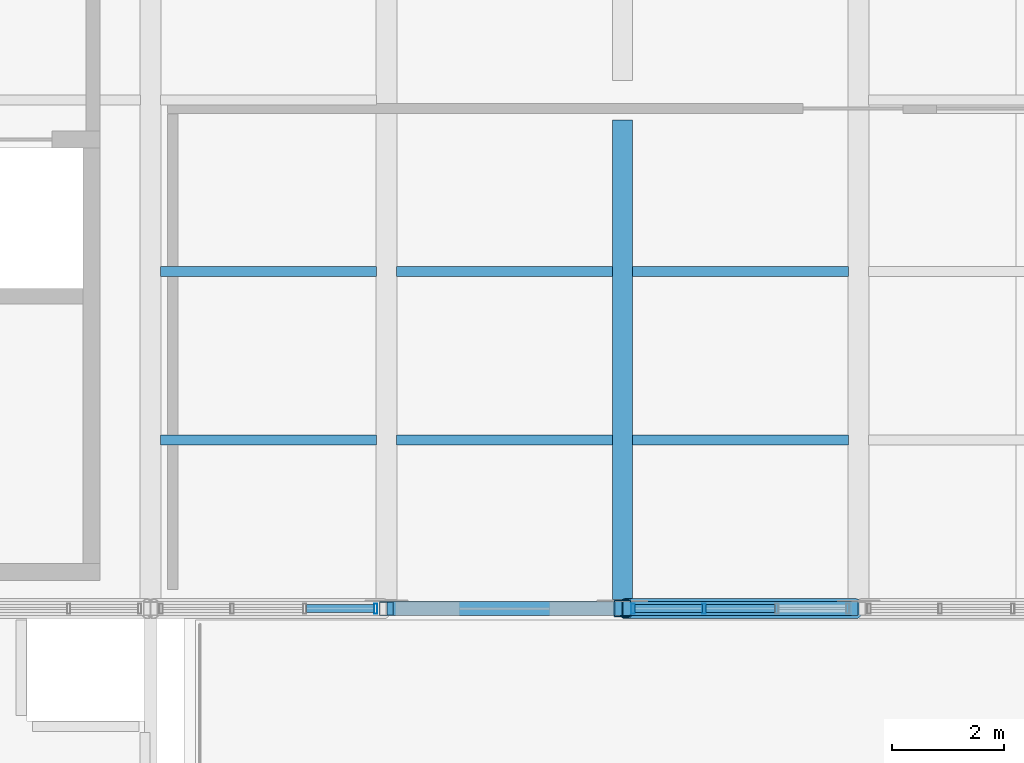
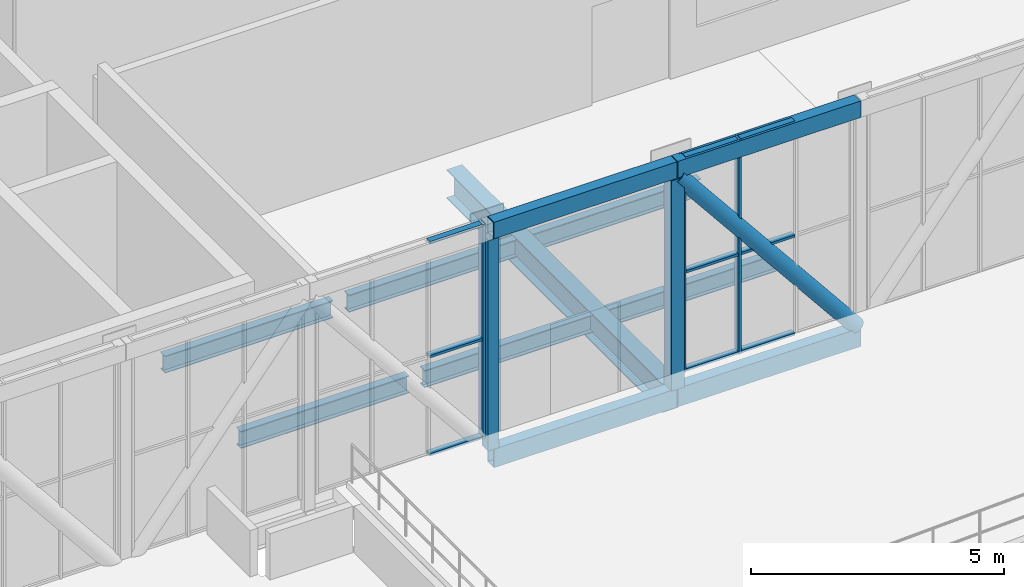
# One storey, part 5 of 58: 19 members, 7 beams, 2 elements without a shape of their own.
"""IFC4 building model written with IfcOpenShell, lengths in metres."""

from ifc_helpers import new_model, si_unit, direction, frame, origin, origin_2d, place, context, subcontext, project, spatial, hollow_rectangle, hollow_circle, i_section, extrude, material, material_profile, profile_set, type_object, element, aggregate, save


model = new_model("IFC4")

# Units and contexts
model_context = context("Model", 3, precision=1e-05, world=origin(), true_north=direction((0.0, 1.0)))
body_context = subcontext(model_context, "Body", "Model", "MODEL_VIEW")
ifc_project = project(units=[si_unit("LENGTHUNIT", "METRE"), si_unit("AREAUNIT", "SQUARE_METRE"), si_unit("VOLUMEUNIT", "CUBIC_METRE"), si_unit("PLANEANGLEUNIT", "RADIAN"), si_unit("MASSUNIT", "GRAM", prefix="KILO")], contexts=[model_context])

# Site, building, storey
site_placement = place(None, origin())
site = spatial("IfcSite", under=ifc_project, at=site_placement, CompositionType="ELEMENT")
building_placement = place(site_placement, origin())
building = spatial("IfcBuilding", under=site, at=building_placement, Name="Khurvash Pelagic Aquarium", CompositionType="ELEMENT")
storey_placement = place(building_placement, frame((0.0, 0.0, 24.60009765625)))
storey = spatial("IfcBuildingStorey", under=building, at=storey_placement, Name="L05", CompositionType="ELEMENT", Elevation=24.60009765625)

# Beam
ifc_material_1 = material(Name="Steel ASTM A992 Grade 50", Category="steel")
ifc_material_profile_1 = material_profile(ifc_material_1, i_section(OverallWidth=0.35595703125, OverallDepth=0.696044921875, WebThickness=0.015380859375, FlangeThickness=0.02490234375, at=origin_2d()), Name="W27X146")
ifc_profile_set_1 = profile_set([ifc_material_profile_1], Name="Steel ASTM A992 Grade 50")
beam_type_1 = type_object("IfcBeamType", Name="BM-09", PredefinedType="BEAM", material=ifc_profile_set_1)
beam_placement = place(storey_placement, frame((42.0, 11.81005859375, -0.648193359375), z_axis=(0.0, 1.0, 0.0), x_axis=(-1.0, 0.0, 0.0)))
element("IfcBeam", 1, at=beam_placement, inside=storey, type_object=beam_type_1, Name="L05 Sky-Bar Transverse Floor Girder BM-09 N08", PredefinedType="BEAM", context=body_context, shape_type="SweptSolid", body=[
    extrude(i_section(OverallWidth=0.35595703125, OverallDepth=0.696044921875, WebThickness=0.015380859375, FlangeThickness=0.02490234375, at=origin_2d()), origin(), (0.0, 0.0, 1.0), 8.5400390625),
])

# Curtain wall, member
ifc_material_2 = material(Name="Anodised aluminium and low-E laminated glass", Category="aluminium")
curtain_wall_type = type_object("IfcCurtainWallType", Name="CW-01", PredefinedType="USERDEFINED", material=ifc_material_2)
curtain_wall_1_placement = place(storey_placement, origin())
curtain_wall_1 = element("IfcCurtainWall", 2, at=curtain_wall_1_placement, inside=storey, type_object=curtain_wall_type, Name="L05 South Sky-Bar Unitised Curtain Wall CW-01 P06", ObjectType="UNITISED CURTAIN WALL", PredefinedType="USERDEFINED")
ifc_material_3 = material(Name="Extruded aluminium AW-6063-T6", Category="aluminium")
ifc_material_profile_2 = material_profile(ifc_material_3, hollow_rectangle(XDim=0.06005859375, YDim=0.179931640625, WallThickness=0.00390625, at=origin_2d()), Name="CWM60X180X4")
ifc_profile_set_2 = profile_set([ifc_material_profile_2], Name="Extruded aluminium AW-6063-T6")
member_type_1 = type_object("IfcMemberType", Name="CM-01", PredefinedType="MULLION", material=ifc_profile_set_2)
member_1_placement = place(storey_placement, frame((37.610107421875, 11.64990234375, 0.0), z_axis=(0.0, 0.0, 1.0), x_axis=(1.0, 0.0, 0.0)))
member_1 = element("IfcMember", 3, at=member_1_placement, type_object=member_type_1, Name="CW-01 mullion 4", PredefinedType="MULLION", context=body_context, shape_type="SweptSolid", body=[
    extrude(hollow_rectangle(XDim=0.06005859375, YDim=0.179931640625, WallThickness=0.00390625, at=origin_2d()), origin(), (0.0, 0.0, 1.0), 5.179931640625),
])

# Curtain wall, members
curtain_wall_2_placement = place(storey_placement, origin())
curtain_wall_2 = element("IfcCurtainWall", 4, at=curtain_wall_2_placement, inside=storey, type_object=curtain_wall_type, Name="L05 South Sky-Bar Unitised Curtain Wall CW-01 P08", ObjectType="UNITISED CURTAIN WALL", PredefinedType="USERDEFINED")
member_2_placement = place(storey_placement, frame((42.18994140625, 11.64990234375, 0.0), z_axis=(0.0, 0.0, 1.0), x_axis=(1.0, 0.0, 0.0)))
member_2 = element("IfcMember", 5, at=member_2_placement, type_object=member_type_1, Name="CW-01 mullion 1", PredefinedType="MULLION", context=body_context, shape_type="SweptSolid", body=[
    extrude(hollow_rectangle(XDim=0.06005859375, YDim=0.179931640625, WallThickness=0.00390625, at=origin_2d()), origin(), (0.0, 0.0, 1.0), 5.179931640625),
])
member_3_placement = place(storey_placement, frame((43.453369140625, 11.64990234375, 0.0), z_axis=(0.0, 0.0, 1.0), x_axis=(1.0, 0.0, 0.0)))
member_3 = element("IfcMember", 6, at=member_3_placement, type_object=member_type_1, Name="CW-01 mullion 2", PredefinedType="MULLION", context=body_context, shape_type="SweptSolid", body=[
    extrude(hollow_rectangle(XDim=0.06005859375, YDim=0.179931640625, WallThickness=0.00390625, at=origin_2d()), origin(), (0.0, 0.0, 1.0), 5.179931640625),
])

# Member
ifc_material_profile_3 = material_profile(ifc_material_3, hollow_rectangle(XDim=0.139892578125, YDim=0.06005859375, WallThickness=0.00390625, at=origin_2d()), Name="CWT140X60X4")
ifc_profile_set_3 = profile_set([ifc_material_profile_3], Name="Extruded aluminium AW-6063-T6")
member_type_2 = type_object("IfcMemberType", Name="CT-01", PredefinedType="USERDEFINED", material=ifc_profile_set_3)
member_4_placement = place(storey_placement, frame((36.376708984375, 11.64990234375, 0.02978515625), z_axis=(1.0, 0.0, 0.0), x_axis=(0.0, 1.0, 0.0)))
member_4 = element("IfcMember", 7, at=member_4_placement, type_object=member_type_2, Name="CW-01 transom 3.1", ObjectType="TRANSOM", PredefinedType="USERDEFINED", context=body_context, shape_type="SweptSolid", body=[
    extrude(hollow_rectangle(XDim=0.139892578125, YDim=0.06005859375, WallThickness=0.00390625, at=origin_2d()), origin(), (0.0, 0.0, 1.0), 1.203369140625),
])

member_5_placement = place(storey_placement, frame((36.376708984375, 11.64990234375, 2.39990234375), z_axis=(1.0, 0.0, 0.0), x_axis=(0.0, 1.0, 0.0)))
member_5 = element("IfcMember", 8, at=member_5_placement, type_object=member_type_2, Name="CW-01 transom 3.2", ObjectType="TRANSOM", PredefinedType="USERDEFINED", context=body_context, shape_type="SweptSolid", body=[
    extrude(hollow_rectangle(XDim=0.139892578125, YDim=0.06005859375, WallThickness=0.00390625, at=origin_2d()), origin(), (0.0, 0.0, 1.0), 1.203369140625),
])

member_6_placement = place(storey_placement, frame((36.376708984375, 11.64990234375, 5.14990234375), z_axis=(1.0, 0.0, 0.0), x_axis=(0.0, 1.0, 0.0)))
member_6 = element("IfcMember", 9, at=member_6_placement, type_object=member_type_2, Name="CW-01 transom 3.3", ObjectType="TRANSOM", PredefinedType="USERDEFINED", context=body_context, shape_type="SweptSolid", body=[
    extrude(hollow_rectangle(XDim=0.139892578125, YDim=0.06005859375, WallThickness=0.00390625, at=origin_2d()), origin(), (0.0, 0.0, 1.0), 1.203369140625),
])

aggregate(curtain_wall_1, [member_1, member_4, member_5, member_6])

member_7_placement = place(storey_placement, frame((42.219970703125, 11.64990234375, 0.02978515625), z_axis=(1.0, 0.0, 0.0), x_axis=(0.0, 1.0, 0.0)))
member_7 = element("IfcMember", 10, at=member_7_placement, type_object=member_type_2, Name="CW-01 transom 1.1", ObjectType="TRANSOM", PredefinedType="USERDEFINED", context=body_context, shape_type="SweptSolid", body=[
    extrude(hollow_rectangle(XDim=0.139892578125, YDim=0.06005859375, WallThickness=0.00390625, at=origin_2d()), origin(), (0.0, 0.0, 1.0), 1.203369140625),
])

member_8_placement = place(storey_placement, frame((42.219970703125, 11.64990234375, 2.39990234375), z_axis=(1.0, 0.0, 0.0), x_axis=(0.0, 1.0, 0.0)))
member_8 = element("IfcMember", 11, at=member_8_placement, type_object=member_type_2, Name="CW-01 transom 1.2", ObjectType="TRANSOM", PredefinedType="USERDEFINED", context=body_context, shape_type="SweptSolid", body=[
    extrude(hollow_rectangle(XDim=0.139892578125, YDim=0.06005859375, WallThickness=0.00390625, at=origin_2d()), origin(), (0.0, 0.0, 1.0), 1.203369140625),
])

member_9_placement = place(storey_placement, frame((42.219970703125, 11.64990234375, 5.14990234375), z_axis=(1.0, 0.0, 0.0), x_axis=(0.0, 1.0, 0.0)))
member_9 = element("IfcMember", 12, at=member_9_placement, type_object=member_type_2, Name="CW-01 transom 1.3", ObjectType="TRANSOM", PredefinedType="USERDEFINED", context=body_context, shape_type="SweptSolid", body=[
    extrude(hollow_rectangle(XDim=0.139892578125, YDim=0.06005859375, WallThickness=0.00390625, at=origin_2d()), origin(), (0.0, 0.0, 1.0), 1.203369140625),
])

member_10_placement = place(storey_placement, frame((43.4833984375, 11.64990234375, 0.02978515625), z_axis=(1.0, 0.0, 0.0), x_axis=(0.0, 1.0, 0.0)))
member_10 = element("IfcMember", 13, at=member_10_placement, type_object=member_type_2, Name="CW-01 transom 2.1", ObjectType="TRANSOM", PredefinedType="USERDEFINED", context=body_context, shape_type="SweptSolid", body=[
    extrude(hollow_rectangle(XDim=0.139892578125, YDim=0.06005859375, WallThickness=0.00390625, at=origin_2d()), origin(), (0.0, 0.0, 1.0), 1.233154296875),
])

member_11_placement = place(storey_placement, frame((43.4833984375, 11.64990234375, 2.39990234375), z_axis=(1.0, 0.0, 0.0), x_axis=(0.0, 1.0, 0.0)))
member_11 = element("IfcMember", 14, at=member_11_placement, type_object=member_type_2, Name="CW-01 transom 2.2", ObjectType="TRANSOM", PredefinedType="USERDEFINED", context=body_context, shape_type="SweptSolid", body=[
    extrude(hollow_rectangle(XDim=0.139892578125, YDim=0.06005859375, WallThickness=0.00390625, at=origin_2d()), origin(), (0.0, 0.0, 1.0), 1.233154296875),
])

member_12_placement = place(storey_placement, frame((43.4833984375, 11.64990234375, 5.14990234375), z_axis=(1.0, 0.0, 0.0), x_axis=(0.0, 1.0, 0.0)))
member_12 = element("IfcMember", 15, at=member_12_placement, type_object=member_type_2, Name="CW-01 transom 2.3", ObjectType="TRANSOM", PredefinedType="USERDEFINED", context=body_context, shape_type="SweptSolid", body=[
    extrude(hollow_rectangle(XDim=0.139892578125, YDim=0.06005859375, WallThickness=0.00390625, at=origin_2d()), origin(), (0.0, 0.0, 1.0), 1.233154296875),
])

aggregate(curtain_wall_2, [member_2, member_3, member_7, member_8, member_9, member_10, member_11, member_12])

# Beams
ifc_material_profile_4 = material_profile(ifc_material_1, i_section(OverallWidth=0.180908203125, OverallDepth=0.4169921875, WebThickness=0.010986328125, FlangeThickness=0.018310546875, at=origin_2d()), Name="W16X57")
ifc_profile_set_4 = profile_set([ifc_material_profile_4], Name="Steel ASTM A992 Grade 50")
beam_type_2 = type_object("IfcBeamType", Name="JS-03", PredefinedType="JOIST", material=ifc_profile_set_4)
for number, where, z_axis, x_axis, name in (
    (16, (33.780029296875, 14.64990234375, -0.508544921875), (1.0, 0.0, 0.0), (0.0, 1.0, 0.0), "L05 Sky-Bar Floor Joist JS-03 P06"),
    (17, (33.780029296875, 17.64990234375, -0.508544921875), (1.0, 0.0, 0.0), (0.0, 1.0, 0.0), "L05 Sky-Bar Floor Joist JS-03 P06"),
    (18, (37.97998046875, 14.64990234375, -0.508544921875), (1.0, 0.0, 0.0), (0.0, 1.0, 0.0), "L05 Sky-Bar Floor Joist JS-03 P07"),
    (19, (37.97998046875, 17.64990234375, -0.508544921875), (1.0, 0.0, 0.0), (0.0, 1.0, 0.0), "L05 Sky-Bar Floor Joist JS-03 P07"),
    (20, (42.179931640625, 14.64990234375, -0.508544921875), (1.0, 0.0, 0.0), (0.0, 1.0, 0.0), "L05 Sky-Bar Floor Joist JS-03 P08"),
    (21, (42.179931640625, 17.64990234375, -0.508544921875), (1.0, 0.0, 0.0), (0.0, 1.0, 0.0), "L05 Sky-Bar Floor Joist JS-03 P08"),
):
    element("IfcBeam", number, at=place(storey_placement, frame(where, z_axis=z_axis, x_axis=x_axis)), inside=storey, type_object=beam_type_2, Name=name, PredefinedType="JOIST", context=body_context, shape_type="SweptSolid", body=[
        extrude(i_section(OverallWidth=0.180908203125, OverallDepth=0.4169921875, WebThickness=0.010986328125, FlangeThickness=0.018310546875, at=origin_2d()), origin(), (0.0, 0.0, 1.0), 3.840087890625),
    ])

# Members
ifc_material_4 = material(Name="Steel S355J2", Category="steel")
ifc_material_profile_5 = material_profile(ifc_material_4, hollow_rectangle(XDim=0.25, YDim=0.449951171875, WallThickness=0.02001953125, at=origin_2d()), Name="RHS450X250X20")
ifc_profile_set_5 = profile_set([ifc_material_profile_5], Name="Steel S355J2")
member_type_3 = type_object("IfcMemberType", Name="TC-01", PredefinedType="CHORD", material=ifc_profile_set_5)
for number, where, z_axis, x_axis, name in (
    (22, (37.81005859375, 11.64990234375, -0.525146484375), (1.0, 0.0, 0.0), (0.0, 1.0, 0.0), "L05 South Sky-Bar Warren Truss Bottom Chord TC-01 P07"),
    (23, (42.010009765625, 11.64990234375, -0.525146484375), (1.0, 0.0, 0.0), (0.0, 1.0, 0.0), "L05 South Sky-Bar Warren Truss Bottom Chord TC-01 P08"),
):
    element("IfcMember", number, at=place(storey_placement, frame(where, z_axis=z_axis, x_axis=x_axis)), inside=storey, type_object=member_type_3, Name=name, PredefinedType="CHORD", context=body_context, shape_type="SweptSolid", body=[
        extrude(hollow_rectangle(XDim=0.25, YDim=0.449951171875, WallThickness=0.02001953125, at=origin_2d()), origin(), (0.0, 0.0, 1.0), 4.179931640625),
    ])
ifc_material_profile_6 = material_profile(ifc_material_4, hollow_rectangle(XDim=0.25, YDim=0.39990234375, WallThickness=0.01611328125, at=origin_2d()), Name="RHS400X250X16")
ifc_profile_set_6 = profile_set([ifc_material_profile_6], Name="Steel S355J2")
member_type_4 = type_object("IfcMemberType", Name="TC-02", PredefinedType="CHORD", material=ifc_profile_set_6)
for number, where, z_axis, x_axis, name in (
    (24, (37.81005859375, 11.64990234375, 4.97998046875), (1.0, 0.0, 0.0), (0.0, 1.0, 0.0), "L05 South Sky-Bar Warren Truss Top Chord TC-02 P07"),
    (25, (42.010009765625, 11.64990234375, 4.97998046875), (1.0, 0.0, 0.0), (0.0, 1.0, 0.0), "L05 South Sky-Bar Warren Truss Top Chord TC-02 P08"),
):
    element("IfcMember", number, at=place(storey_placement, frame(where, z_axis=z_axis, x_axis=x_axis)), inside=storey, type_object=member_type_4, Name=name, PredefinedType="CHORD", context=body_context, shape_type="SweptSolid", body=[
        extrude(hollow_rectangle(XDim=0.25, YDim=0.39990234375, WallThickness=0.01611328125, at=origin_2d()), origin(), (0.0, 0.0, 1.0), 4.179931640625),
    ])
ifc_material_profile_7 = material_profile(ifc_material_4, hollow_circle(Radius=0.177734375, WallThickness=0.01416015625, at=origin_2d()), Name="CHS355X14")
ifc_profile_set_7 = profile_set([ifc_material_profile_7], Name="Steel S355J2")
member_type_5 = type_object("IfcMemberType", Name="TD-02", PredefinedType="BRACE", material=ifc_profile_set_7)
member_13_placement = place(storey_placement, frame((42.050048828125, 11.64990234375, 4.77978515625), z_axis=(0.628050658275, 0.0, -0.778172455591), x_axis=(0.0, 1.0, 0.0)))
element("IfcMember", 26, at=member_13_placement, inside=storey, type_object=member_type_5, Name="L05 South Sky-Bar Warren Truss Diagonal TD-02 P08", PredefinedType="BRACE", context=body_context, shape_type="SweptSolid", body=[
    extrude(hollow_circle(Radius=0.177734375, WallThickness=0.01416015625, at=origin_2d()), origin(), (0.0, 0.0, 1.0), 6.52783203125),
])
ifc_material_profile_8 = material_profile(ifc_material_4, hollow_rectangle(XDim=0.300048828125, YDim=0.300048828125, WallThickness=0.01611328125, at=origin_2d()), Name="SHS300X300X16")
ifc_profile_set_8 = profile_set([ifc_material_profile_8], Name="Steel S355J2")
member_type_6 = type_object("IfcMemberType", Name="TV-01", PredefinedType="POST", material=ifc_profile_set_8)
member_14_placement = place(storey_placement, frame((42.0, 11.64990234375, -0.300048828125), z_axis=(0.0, 0.0, 1.0), x_axis=(1.0, 0.0, 0.0)))
element("IfcMember", 27, at=member_14_placement, inside=storey, type_object=member_type_6, Name="L05 South Sky-Bar Truss Post TV-01 N08", PredefinedType="POST", context=body_context, shape_type="SweptSolid", body=[
    extrude(hollow_rectangle(XDim=0.300048828125, YDim=0.300048828125, WallThickness=0.01611328125, at=origin_2d()), origin(), (0.0, 0.0, 1.0), 5.079833984375),
])
ifc_material_profile_9 = material_profile(ifc_material_4, hollow_rectangle(XDim=0.25, YDim=0.25, WallThickness=0.012451171875, at=origin_2d()), Name="SHS250X250X12")
ifc_profile_set_9 = profile_set([ifc_material_profile_9], Name="Steel S355J2")
member_type_7 = type_object("IfcMemberType", Name="TV-02", PredefinedType="POST", material=ifc_profile_set_9)
member_15_placement = place(storey_placement, frame((37.800048828125, 11.64990234375, -0.300048828125), z_axis=(0.0, 0.0, 1.0), x_axis=(1.0, 0.0, 0.0)))
element("IfcMember", 28, at=member_15_placement, inside=storey, type_object=member_type_7, Name="L05 South Sky-Bar Truss Post TV-02 N07", PredefinedType="POST", context=body_context, shape_type="SweptSolid", body=[
    extrude(hollow_rectangle(XDim=0.25, YDim=0.25, WallThickness=0.012451171875, at=origin_2d()), origin(), (0.0, 0.0, 1.0), 5.079833984375),
])

save(model, "model.ifc")
